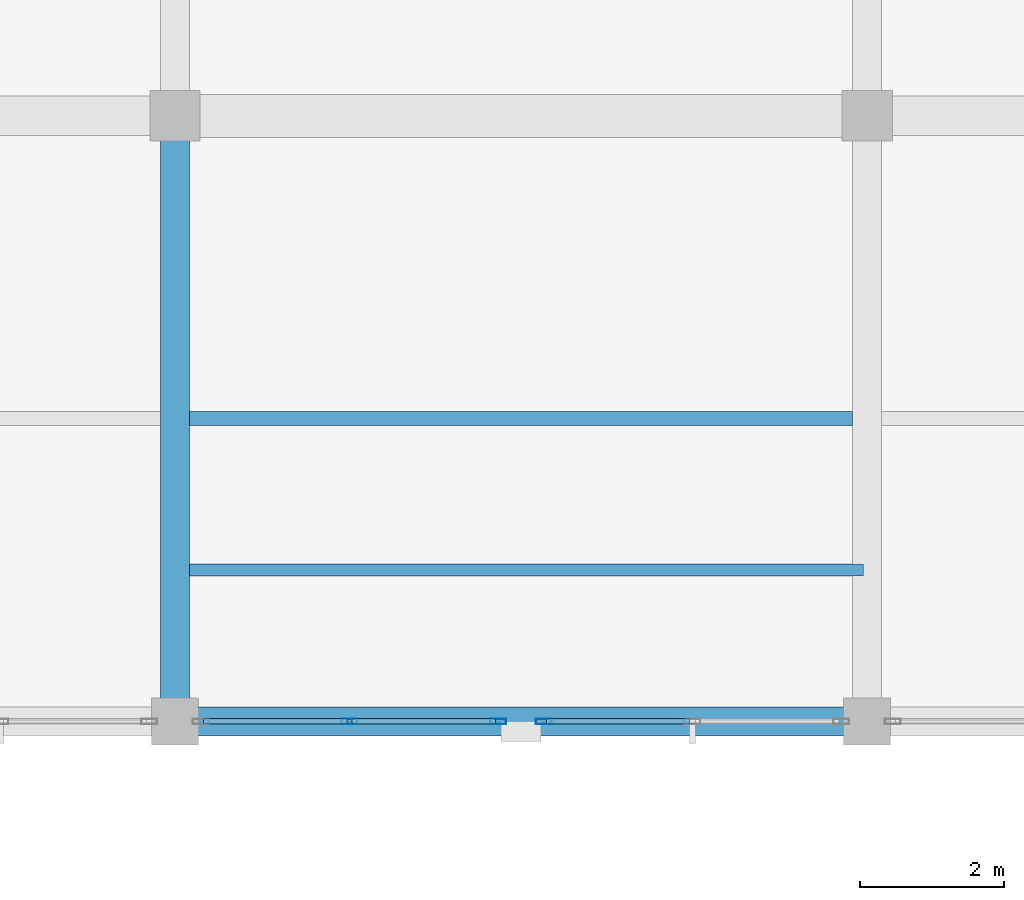
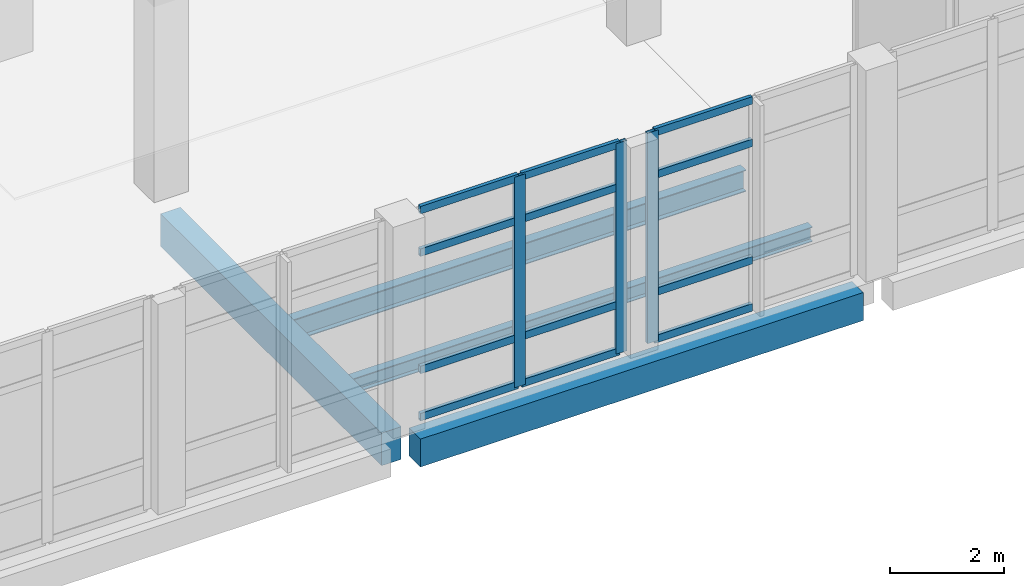
# One storey, part 39 of 102: 15 members, 4 beams, 2 elements without a shape of their own.
"""IFC4 building model written with IfcOpenShell, lengths in metres."""

from ifc_helpers import new_model, si_unit, direction, frame, origin, origin_2d, place, context, subcontext, project, spatial, rectangle, hollow_rectangle, i_section, extrude, material, layer, layer_set, material_profile, profile_set, type_object, element, aggregate, save


model = new_model("IFC4")

# Units and contexts
model_context = context("Model", 3, precision=1e-05, world=origin(), true_north=direction((0.0, 1.0)))
body_context = subcontext(model_context, "Body", "Model", "MODEL_VIEW")
ifc_project = project(units=[si_unit("LENGTHUNIT", "METRE"), si_unit("AREAUNIT", "SQUARE_METRE"), si_unit("VOLUMEUNIT", "CUBIC_METRE"), si_unit("PLANEANGLEUNIT", "RADIAN"), si_unit("MASSUNIT", "GRAM", prefix="KILO")], contexts=[model_context])

# Site, building, storey
site_placement = place(None, origin())
site = spatial("IfcSite", under=ifc_project, at=site_placement, CompositionType="ELEMENT")
building_placement = place(site_placement, origin())
building = spatial("IfcBuilding", under=site, at=building_placement, Name="Lornevale Opera House", CompositionType="ELEMENT")
storey_placement = place(building_placement, frame((0.0, 0.0, 5.39990234375)))
storey = spatial("IfcBuildingStorey", under=building, at=storey_placement, Name="L02", CompositionType="ELEMENT", Elevation=5.39990234375)

# Beams
ifc_material_1 = material(Name="Concrete 35 MPa (CSA A23.1 N)", Category="concrete")
ifc_material_profile_1 = material_profile(ifc_material_1, rectangle(XDim=0.39990234375, YDim=0.699951171875, at=origin_2d()), Name="RC400x700")
ifc_profile_set_1 = profile_set([ifc_material_profile_1], Name="Concrete 35 MPa (CSA A23.1 N)")
beam_type_1 = type_object("IfcBeamType", Name="Concrete Floor Beam 400x700", PredefinedType="USERDEFINED", material=ifc_profile_set_1)
beam_1_placement = place(storey_placement, frame((105.60009765625, 17.10009765625, -0.64990234375), z_axis=(0.0, 1.0, 0.0), x_axis=(-1.0, 0.0, 0.0)))
element("IfcBeam", 1, at=beam_1_placement, inside=storey, type_object=beam_type_1, Name="Concrete Floor Beam 400x700 1918", ObjectType="GIRDER", PredefinedType="USERDEFINED", context=body_context, shape_type="SweptSolid", body=[
    extrude(rectangle(XDim=0.39990234375, YDim=0.699951171875, at=origin_2d()), origin(), (0.0, 0.0, 1.0), 7.77490234375),
])
ifc_material_profile_2 = material_profile(ifc_material_1, rectangle(XDim=0.39990234375, YDim=0.60009765625, at=origin_2d()), Name="RC400x600")
ifc_profile_set_2 = profile_set([ifc_material_profile_2], Name="Concrete 35 MPa (CSA A23.1 N)")
beam_type_2 = type_object("IfcBeamType", Name="Concrete Spandrel Beam 400x600", PredefinedType="SPANDREL", material=ifc_profile_set_2)
beam_2_placement = place(storey_placement, frame((105.89990234375, 16.800048828125, -0.599853515625), z_axis=(1.0, 0.0, 0.0), x_axis=(0.0, 1.0, 0.0)))
element("IfcBeam", 2, at=beam_2_placement, inside=storey, type_object=beam_type_2, Name="Concrete Spandrel Beam 400x600 1689", PredefinedType="SPANDREL", context=body_context, shape_type="SweptSolid", body=[
    extrude(rectangle(XDim=0.39990234375, YDim=0.60009765625, at=origin_2d()), origin(), (0.0, 0.0, 1.0), 9.0),
])

# Curtain wall, member
ifc_material_2 = material(Name="Anodized Oxide-Green Aluminium Framing", Category="aluminium")
ifc_layer = layer(ifc_material_2, 0.219970703125)
ifc_layer_set = layer_set([ifc_layer], Name="Anodized Oxide-Green Aluminium Framing")
curtain_wall_type = type_object("IfcCurtainWallType", Name="Winter-Garden Curtain Wall M1900", PredefinedType="NOTDEFINED", material=ifc_layer_set)
curtain_wall_1_placement = place(storey_placement, origin())
curtain_wall_1 = element("IfcCurtainWall", 3, at=curtain_wall_1_placement, inside=storey, type_object=curtain_wall_type, Name="Winter-Garden Curtain Wall M1900 CW-074", PredefinedType="NOTDEFINED")
ifc_material_profile_3 = material_profile(ifc_material_2, hollow_rectangle(XDim=0.074951171875, YDim=0.219970703125, WallThickness=0.0048828125, at=origin_2d()), Name="ALU75x220x5")
ifc_profile_set_3 = profile_set([ifc_material_profile_3], Name="Anodized Oxide-Green Aluminium Framing")
member_type_1 = type_object("IfcMemberType", Name="Curtain Wall Mullion 75x220", PredefinedType="MULLION", material=ifc_profile_set_3)
member_1_placement = place(storey_placement, frame((110.717529296875, 16.800048828125, 0.0), z_axis=(0.0, 0.0, 1.0), x_axis=(0.0, -1.0, 0.0)))
member_1 = element("IfcMember", 4, at=member_1_placement, type_object=member_type_1, Name="Curtain Wall Mullion 75x220 CW1516", PredefinedType="MULLION", context=body_context, shape_type="SweptSolid", body=[
    extrude(hollow_rectangle(XDim=0.074951171875, YDim=0.219970703125, WallThickness=0.0048828125, at=origin_2d()), origin(), (0.0, 0.0, 1.0), 4.52001953125),
])

# Curtain wall, members
curtain_wall_2_placement = place(storey_placement, origin())
curtain_wall_2 = element("IfcCurtainWall", 5, at=curtain_wall_2_placement, inside=storey, type_object=curtain_wall_type, Name="Winter-Garden Curtain Wall M1900 CW-075", PredefinedType="NOTDEFINED")
member_2_placement = place(storey_placement, frame((110.08251953125, 16.800048828125, 0.0), z_axis=(0.0, 0.0, 1.0), x_axis=(0.0, -1.0, 0.0)))
member_2 = element("IfcMember", 6, at=member_2_placement, type_object=member_type_1, Name="Curtain Wall Mullion 75x220 CW1531", PredefinedType="MULLION", context=body_context, shape_type="SweptSolid", body=[
    extrude(hollow_rectangle(XDim=0.074951171875, YDim=0.219970703125, WallThickness=0.0048828125, at=origin_2d()), origin(), (0.0, 0.0, 1.0), 4.52001953125),
])
member_3_placement = place(storey_placement, frame((108.0205078125, 16.800048828125, 0.0), z_axis=(0.0, 0.0, 1.0), x_axis=(0.0, -1.0, 0.0)))
member_3 = element("IfcMember", 7, at=member_3_placement, type_object=member_type_1, Name="Curtain Wall Mullion 75x220 CW1532", PredefinedType="MULLION", context=body_context, shape_type="SweptSolid", body=[
    extrude(hollow_rectangle(XDim=0.074951171875, YDim=0.219970703125, WallThickness=0.0048828125, at=origin_2d()), origin(), (0.0, 0.0, 1.0), 4.52001953125),
])

# Member
ifc_material_profile_4 = material_profile(ifc_material_2, hollow_rectangle(XDim=0.074951171875, YDim=0.159912109375, WallThickness=0.0048828125, at=origin_2d()), Name="ALU75x160x5")
ifc_profile_set_4 = profile_set([ifc_material_profile_4], Name="Anodized Oxide-Green Aluminium Framing")
member_type_2 = type_object("IfcMemberType", Name="Curtain Wall Transom 75x160", PredefinedType="USERDEFINED", material=ifc_profile_set_4)
member_4_placement = place(storey_placement, frame((112.741943359375, 16.800048828125, 0.03759765625), z_axis=(-1.0, 0.0, 0.0), x_axis=(0.0, -1.0, 0.0)))
member_4 = element("IfcMember", 8, at=member_4_placement, type_object=member_type_2, Name="Curtain Wall Transom 75x160 CW1524", ObjectType="TRANSOM", PredefinedType="USERDEFINED", context=body_context, shape_type="SweptSolid", body=[
    extrude(hollow_rectangle(XDim=0.074951171875, YDim=0.159912109375, WallThickness=0.0048828125, at=origin_2d()), origin(), (0.0, 0.0, 1.0), 1.987060546875),
])

member_5_placement = place(storey_placement, frame((112.741943359375, 16.800048828125, 1.050048828125), z_axis=(-1.0, 0.0, 0.0), x_axis=(0.0, -1.0, 0.0)))
member_5 = element("IfcMember", 9, at=member_5_placement, type_object=member_type_2, Name="Curtain Wall Transom 75x160 CW1525", ObjectType="TRANSOM", PredefinedType="USERDEFINED", context=body_context, shape_type="SweptSolid", body=[
    extrude(hollow_rectangle(XDim=0.074951171875, YDim=0.159912109375, WallThickness=0.0048828125, at=origin_2d()), origin(), (0.0, 0.0, 1.0), 1.987060546875),
])

member_6_placement = place(storey_placement, frame((112.741943359375, 16.800048828125, 3.570068359375), z_axis=(-1.0, 0.0, 0.0), x_axis=(0.0, -1.0, 0.0)))
member_6 = element("IfcMember", 10, at=member_6_placement, type_object=member_type_2, Name="Curtain Wall Transom 75x160 CW1526", ObjectType="TRANSOM", PredefinedType="USERDEFINED", context=body_context, shape_type="SweptSolid", body=[
    extrude(hollow_rectangle(XDim=0.074951171875, YDim=0.159912109375, WallThickness=0.0048828125, at=origin_2d()), origin(), (0.0, 0.0, 1.0), 1.987060546875),
])

member_7_placement = place(storey_placement, frame((112.741943359375, 16.800048828125, 4.482666015625), z_axis=(-1.0, 0.0, 0.0), x_axis=(0.0, -1.0, 0.0)))
member_7 = element("IfcMember", 11, at=member_7_placement, type_object=member_type_2, Name="Curtain Wall Transom 75x160 CW1527", ObjectType="TRANSOM", PredefinedType="USERDEFINED", context=body_context, shape_type="SweptSolid", body=[
    extrude(hollow_rectangle(XDim=0.074951171875, YDim=0.159912109375, WallThickness=0.0048828125, at=origin_2d()), origin(), (0.0, 0.0, 1.0), 1.987060546875),
])

aggregate(curtain_wall_1, [member_1, member_4, member_5, member_6, member_7])

member_8_placement = place(storey_placement, frame((110.044921875, 16.800048828125, 0.03759765625), z_axis=(-1.0, 0.0, 0.0), x_axis=(0.0, -1.0, 0.0)))
member_8 = element("IfcMember", 12, at=member_8_placement, type_object=member_type_2, Name="Curtain Wall Transom 75x160 CW1534", ObjectType="TRANSOM", PredefinedType="USERDEFINED", context=body_context, shape_type="SweptSolid", body=[
    extrude(hollow_rectangle(XDim=0.074951171875, YDim=0.159912109375, WallThickness=0.0048828125, at=origin_2d()), origin(), (0.0, 0.0, 1.0), 1.98681640625),
])

member_9_placement = place(storey_placement, frame((110.044921875, 16.800048828125, 1.050048828125), z_axis=(-1.0, 0.0, 0.0), x_axis=(0.0, -1.0, 0.0)))
member_9 = element("IfcMember", 13, at=member_9_placement, type_object=member_type_2, Name="Curtain Wall Transom 75x160 CW1535", ObjectType="TRANSOM", PredefinedType="USERDEFINED", context=body_context, shape_type="SweptSolid", body=[
    extrude(hollow_rectangle(XDim=0.074951171875, YDim=0.159912109375, WallThickness=0.0048828125, at=origin_2d()), origin(), (0.0, 0.0, 1.0), 1.98681640625),
])

member_10_placement = place(storey_placement, frame((110.044921875, 16.800048828125, 3.570068359375), z_axis=(-1.0, 0.0, 0.0), x_axis=(0.0, -1.0, 0.0)))
member_10 = element("IfcMember", 14, at=member_10_placement, type_object=member_type_2, Name="Curtain Wall Transom 75x160 CW1536", ObjectType="TRANSOM", PredefinedType="USERDEFINED", context=body_context, shape_type="SweptSolid", body=[
    extrude(hollow_rectangle(XDim=0.074951171875, YDim=0.159912109375, WallThickness=0.0048828125, at=origin_2d()), origin(), (0.0, 0.0, 1.0), 1.98681640625),
])

member_11_placement = place(storey_placement, frame((110.044921875, 16.800048828125, 4.482666015625), z_axis=(-1.0, 0.0, 0.0), x_axis=(0.0, -1.0, 0.0)))
member_11 = element("IfcMember", 15, at=member_11_placement, type_object=member_type_2, Name="Curtain Wall Transom 75x160 CW1537", ObjectType="TRANSOM", PredefinedType="USERDEFINED", context=body_context, shape_type="SweptSolid", body=[
    extrude(hollow_rectangle(XDim=0.074951171875, YDim=0.159912109375, WallThickness=0.0048828125, at=origin_2d()), origin(), (0.0, 0.0, 1.0), 1.98681640625),
])

member_12_placement = place(storey_placement, frame((107.98291015625, 16.800048828125, 0.03759765625), z_axis=(-1.0, 0.0, 0.0), x_axis=(0.0, -1.0, 0.0)))
member_12 = element("IfcMember", 16, at=member_12_placement, type_object=member_type_2, Name="Curtain Wall Transom 75x160 CW1541", ObjectType="TRANSOM", PredefinedType="USERDEFINED", context=body_context, shape_type="SweptSolid", body=[
    extrude(hollow_rectangle(XDim=0.074951171875, YDim=0.159912109375, WallThickness=0.0048828125, at=origin_2d()), origin(), (0.0, 0.0, 1.0), 1.98681640625),
])

member_13_placement = place(storey_placement, frame((107.98291015625, 16.800048828125, 1.050048828125), z_axis=(-1.0, 0.0, 0.0), x_axis=(0.0, -1.0, 0.0)))
member_13 = element("IfcMember", 17, at=member_13_placement, type_object=member_type_2, Name="Curtain Wall Transom 75x160 CW1542", ObjectType="TRANSOM", PredefinedType="USERDEFINED", context=body_context, shape_type="SweptSolid", body=[
    extrude(hollow_rectangle(XDim=0.074951171875, YDim=0.159912109375, WallThickness=0.0048828125, at=origin_2d()), origin(), (0.0, 0.0, 1.0), 1.98681640625),
])

member_14_placement = place(storey_placement, frame((107.98291015625, 16.800048828125, 3.570068359375), z_axis=(-1.0, 0.0, 0.0), x_axis=(0.0, -1.0, 0.0)))
member_14 = element("IfcMember", 18, at=member_14_placement, type_object=member_type_2, Name="Curtain Wall Transom 75x160 CW1543", ObjectType="TRANSOM", PredefinedType="USERDEFINED", context=body_context, shape_type="SweptSolid", body=[
    extrude(hollow_rectangle(XDim=0.074951171875, YDim=0.159912109375, WallThickness=0.0048828125, at=origin_2d()), origin(), (0.0, 0.0, 1.0), 1.98681640625),
])

member_15_placement = place(storey_placement, frame((107.98291015625, 16.800048828125, 4.482666015625), z_axis=(-1.0, 0.0, 0.0), x_axis=(0.0, -1.0, 0.0)))
member_15 = element("IfcMember", 19, at=member_15_placement, type_object=member_type_2, Name="Curtain Wall Transom 75x160 CW1544", ObjectType="TRANSOM", PredefinedType="USERDEFINED", context=body_context, shape_type="SweptSolid", body=[
    extrude(hollow_rectangle(XDim=0.074951171875, YDim=0.159912109375, WallThickness=0.0048828125, at=origin_2d()), origin(), (0.0, 0.0, 1.0), 1.98681640625),
])

aggregate(curtain_wall_2, [member_2, member_3, member_8, member_9, member_10, member_11, member_12, member_13, member_14, member_15])

# Beams
ifc_material_3 = material(Name="Structural Steel CSA G40.21 Grade 350W (350 MPa)", Category="steel")
ifc_material_profile_5 = material_profile(ifc_material_3, i_section(OverallWidth=0.1669921875, OverallDepth=0.31689453125, WebThickness=0.007568359375, FlangeThickness=0.01318359375, at=origin_2d()), Name="W310x52")
ifc_profile_set_5 = profile_set([ifc_material_profile_5], Name="Structural Steel CSA G40.21 Grade 350W (350 MPa)")
beam_type_3 = type_object("IfcBeamType", Name="Parterre Gallery Joist W310x52", PredefinedType="JOIST", material=ifc_profile_set_5)
beam_3_placement = place(storey_placement, frame((105.64990234375, 18.89990234375, -0.47998046875), z_axis=(1.0, 0.0, 0.0), x_axis=(0.0, 1.0, 0.0)))
element("IfcBeam", 20, at=beam_3_placement, inside=storey, type_object=beam_type_3, Name="Parterre Gallery Joist W310x52 3040", PredefinedType="JOIST", context=body_context, shape_type="SweptSolid", body=[
    extrude(i_section(OverallWidth=0.1669921875, OverallDepth=0.31689453125, WebThickness=0.007568359375, FlangeThickness=0.01318359375, at=origin_2d()), origin(), (0.0, 0.0, 1.0), 9.5),
])
ifc_material_profile_6 = material_profile(ifc_material_3, i_section(OverallWidth=0.19189453125, OverallDepth=0.462890625, WebThickness=0.010498046875, FlangeThickness=0.017578125, at=origin_2d()), Name="W460x89")
ifc_profile_set_6 = profile_set([ifc_material_profile_6], Name="Structural Steel CSA G40.21 Grade 350W (350 MPa)")
beam_type_4 = type_object("IfcBeamType", Name="Steel Floor Joist W460x89", PredefinedType="JOIST", material=ifc_profile_set_6)
beam_4_placement = place(storey_placement, frame((105.800048828125, 21.0, -0.54638671875), z_axis=(1.0, 0.0, 0.0), x_axis=(0.0, 1.0, 0.0)))
element("IfcBeam", 21, at=beam_4_placement, inside=storey, type_object=beam_type_4, Name="Steel Floor Joist W460x89 2041", PredefinedType="JOIST", context=body_context, shape_type="SweptSolid", body=[
    extrude(i_section(OverallWidth=0.19189453125, OverallDepth=0.462890625, WebThickness=0.010498046875, FlangeThickness=0.017578125, at=origin_2d()), origin(), (0.0, 0.0, 1.0), 9.199951171875),
])

save(model, "model.ifc")
